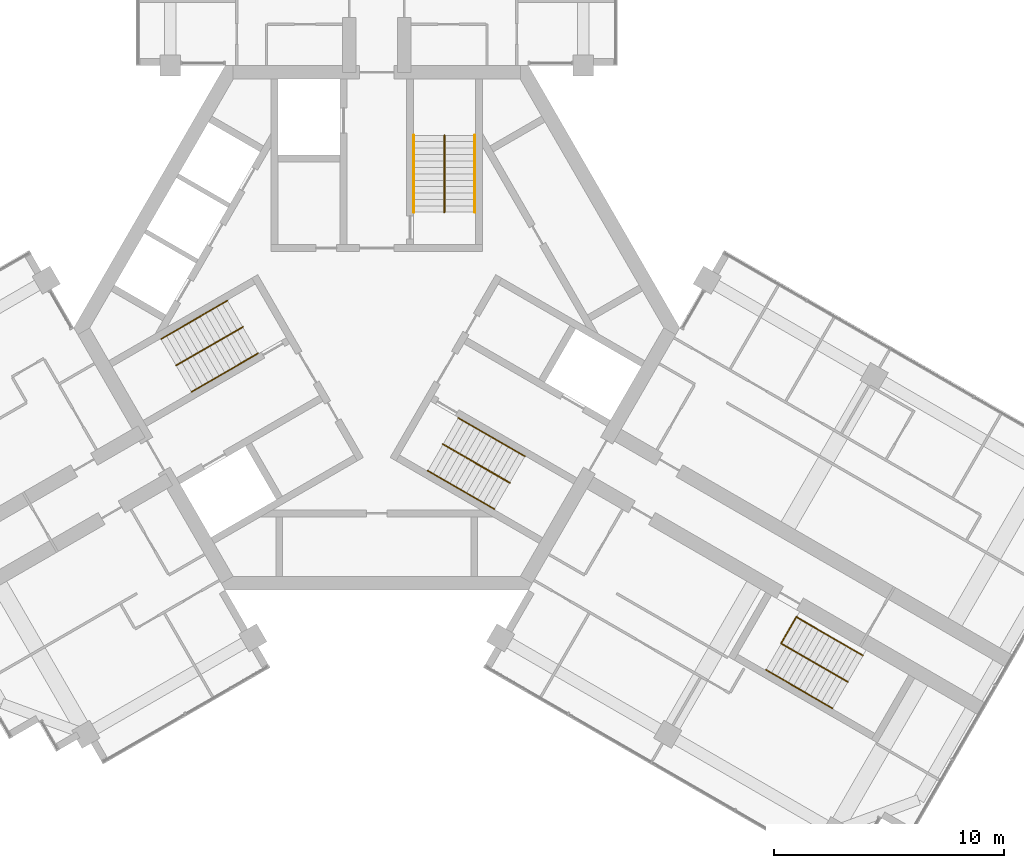
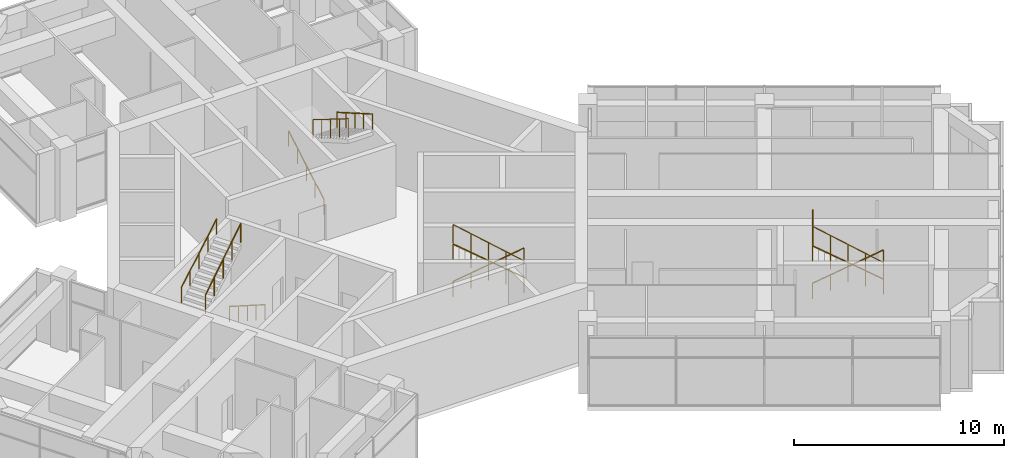
# One storey, part 13 of 13: 13 railings.
"""IFC4 building model written with IfcOpenShell, lengths in metres."""

import ifcopenshell
import ifcopenshell.guid

model = None  # the IFC model being written
_history = None  # IfcOwnerHistory: only IFC2X3 demands one
_inside = {}  # id of a spatial element -> (the spatial element, [elements in it])
_under = {}  # id of a project, library or spatial element -> (it, [spatial elements below it])
_declared = {}  # id of a project -> (the project, [libraries it declares])
_typed = {}  # id of a type object -> (the type object, [elements of that type])
_made_of = {}  # id of a material, layer set ... -> (it, [elements and type objects made of it])


def new_model(schema):
    """Start an empty IFC model of exactly this schema.

    Asked for "IFC4X3", IfcOpenShell would pick the latest addendum, in which some entities
    have other attributes; the version numbers below select the first issue.
    IFC2X3 requires an IfcOwnerHistory on every rooted entity: one is made here for all.
    """
    global model, _history
    if schema == "IFC4X3":
        model = ifcopenshell.file(schema_version=(4, 3, 0, 0))
    else:
        model = ifcopenshell.file(schema=schema)
    _inside.clear()
    _under.clear()
    _declared.clear()
    _typed.clear()
    _made_of.clear()
    _history = None
    if model.schema == "IFC2X3":
        org = make("IfcOrganization", Name="unknown")
        user = make(
            "IfcPersonAndOrganization",
            ThePerson=make("IfcPerson", FamilyName="unknown"),
            TheOrganization=org,
        )
        app = make(
            "IfcApplication",
            ApplicationDeveloper=org,
            Version="unknown",
            ApplicationFullName="unknown",
            ApplicationIdentifier="unknown",
        )
        _history = make(
            "IfcOwnerHistory",
            OwningUser=user,
            OwningApplication=app,
            ChangeAction="ADDED",
            CreationDate=0,
        )
    return model


def make(cls, **values):
    """One entity of the class cls with the attributes given. An attribute that is None is left unset."""
    return model.create_entity(
        cls, **{name: value for name, value in values.items() if value is not None}
    )


def rooted(cls, **values):
    """An entity with a GlobalId (a new one), such as an element, a storey or a relation."""
    return make(cls, GlobalId=ifcopenshell.guid.new(), OwnerHistory=_history, **values)


def si_unit(unit_type, name, prefix=None):
    """IfcSIUnit, for example si_unit("LENGTHUNIT", "METRE", prefix="MILLI")."""
    return make("IfcSIUnit", UnitType=unit_type, Prefix=prefix, Name=name)


def assignment(units):
    """IfcUnitAssignment: the units of a project."""
    return None if units is None else make("IfcUnitAssignment", Units=units)


def point(xyz):
    """IfcCartesianPoint."""
    return None if xyz is None else make("IfcCartesianPoint", Coordinates=xyz)


def direction(xyz):
    """IfcDirection."""
    return None if xyz is None else make("IfcDirection", DirectionRatios=xyz)


def frame(location, z_axis=None, x_axis=None):
    """IfcAxis2Placement3D, a coordinate frame: its origin and axes. An axis left out is left unset."""
    return make(
        "IfcAxis2Placement3D",
        Location=point(location),
        Axis=direction(z_axis),
        RefDirection=direction(x_axis),
    )


def frame_2d(location, x_axis=None):
    """IfcAxis2Placement2D, a coordinate frame in the plane: its origin and x axis."""
    return make(
        "IfcAxis2Placement2D", Location=point(location), RefDirection=direction(x_axis)
    )


def origin():
    """The frame at (0, 0, 0) with its axes left unset."""
    return frame((0.0, 0.0, 0.0))


def origin_2d():
    """The frame at (0, 0) in the plane with its x axis left unset."""
    return frame_2d((0.0, 0.0))


def place(relative_to, where):
    """IfcLocalPlacement: puts the frame where relative to a parent placement (None: the world)."""
    return make(
        "IfcLocalPlacement", PlacementRelTo=relative_to, RelativePlacement=where
    )


def context(
    kind, dimensions, precision=None, world=None, true_north=None, identifier=None
):
    """IfcGeometricRepresentationContext, for example the 3D "Model" context."""
    return make(
        "IfcGeometricRepresentationContext",
        ContextIdentifier=identifier,
        ContextType=kind,
        CoordinateSpaceDimension=dimensions,
        Precision=precision,
        WorldCoordinateSystem=world,
        TrueNorth=true_north,
    )


def subcontext(parent, identifier, kind, view, scale=None):
    """IfcGeometricRepresentationSubContext, for example "Body" below "Model"."""
    return make(
        "IfcGeometricRepresentationSubContext",
        ContextIdentifier=identifier,
        ContextType=kind,
        ParentContext=parent,
        TargetScale=scale,
        TargetView=view,
    )


def project(units=None, contexts=None):
    """IfcProject with its units and contexts."""
    return rooted(
        "IfcProject",
        Name="project",
        RepresentationContexts=contexts,
        UnitsInContext=assignment(units),
    )


def spatial(cls, under=None, at=None, **own):
    """A site, building, storey or space (cls), placed at a placement, below another one or the project."""
    s = rooted(cls, ObjectPlacement=at, **own)
    if under is not None:
        _under.setdefault(under.id(), (under, []))[1].append(s)
    return s


def profile(cls, at=None, kind="AREA", **sizes):
    """A parametric profile (cls). Its sizes go by their IFC names, for example OverallWidth=200.0."""
    return make(cls, ProfileType=kind, Position=at, **sizes)


def circle(**sizes):
    """IfcCircleProfileDef."""
    return profile("IfcCircleProfileDef", **sizes)


def extrude(swept, where, along, depth):
    """IfcExtrudedAreaSolid: the profile swept, set in the frame where, extruded along a direction by depth."""
    return make(
        "IfcExtrudedAreaSolid",
        SweptArea=swept,
        Position=where,
        ExtrudedDirection=direction(along),
        Depth=depth,
    )


def shape(context_of_items, identifier, shape_type, items):
    """IfcShapeRepresentation: the items that make up one representation, for example the "Body"."""
    return make(
        "IfcShapeRepresentation",
        ContextOfItems=context_of_items,
        RepresentationIdentifier=identifier,
        RepresentationType=shape_type,
        Items=items,
    )


def material(Name=None, Category=None):
    """IfcMaterial."""
    return make("IfcMaterial", Name=Name, Category=Category)


def made_of(thing, what):
    """Note that an element or type object is made of a material, layer set ...; save() writes the relation."""
    if what is not None:
        _made_of.setdefault(what.id(), (what, []))[1].append(thing)
    return thing


def type_object(cls, material=None, **own):
    """A type object (cls), such as IfcWallType, which elements share."""
    return made_of(rooted(cls, **own), material)


def element(
    cls,
    number,
    at=None,
    inside=None,
    cuts=None,
    type_object=None,
    material=None,
    context=None,
    identifier="Body",
    shape_type=None,
    held_by="IfcProductDefinitionShape",
    body=None,
    shapes=None,
    **own,
):
    """One element of the class cls, such as IfcWall. Its Tag is "e" and its number.

    at: its placement. inside: the storey or other place that contains it. cuts: it is an
    opening in that element (IfcRelVoidsElement). A single representation is given by context,
    identifier, shape_type and body (its items); several are given by shapes. held_by: the class
    of the entity that holds the representations. save() writes the other relations.
    """
    e = rooted(cls, Tag="e%d" % number, ObjectPlacement=at, **own)
    if body is not None:
        shapes = [shape(context, identifier, shape_type, body)]
    if shapes is not None:
        e.Representation = make(held_by, Representations=shapes)
    if inside is not None:
        _inside.setdefault(inside.id(), (inside, []))[1].append(e)
    if cuts is not None:
        rooted(
            "IfcRelVoidsElement", RelatingBuildingElement=cuts, RelatedOpeningElement=e
        )
    if type_object is not None:
        _typed.setdefault(type_object.id(), (type_object, []))[1].append(e)
    return made_of(e, material)


def aggregate(whole, parts):
    """IfcRelAggregates: a whole, such as a stair, and the parts it consists of."""
    return rooted("IfcRelAggregates", RelatingObject=whole, RelatedObjects=parts)


def save(model, path):
    """Write the relations noted so far, then the file.

    IfcRelAggregates (storeys below a building ...), IfcRelContainedInSpatialStructure (elements
    in a storey), IfcRelDefinesByType, IfcRelAssociatesMaterial and IfcRelDeclares: one each for
    every whole, place, type object, material and project.
    """
    for whole, parts in _under.values():
        aggregate(whole, parts)
    for where, things in _inside.values():
        rooted(
            "IfcRelContainedInSpatialStructure",
            RelatedElements=things,
            RelatingStructure=where,
        )
    for kind, things in _typed.values():
        rooted("IfcRelDefinesByType", RelatedObjects=things, RelatingType=kind)
    for what, things in _made_of.values():
        rooted("IfcRelAssociatesMaterial", RelatedObjects=things, RelatingMaterial=what)
    for by, libraries in _declared.values():
        rooted("IfcRelDeclares", RelatingContext=by, RelatedDefinitions=libraries)
    model.write(path)


model = new_model("IFC4")

# Units and contexts
model_context = context("Model", 3, precision=1e-05, world=origin(), true_north=direction((0.0, 1.0)))
body_context = subcontext(model_context, "Body", "Model", "MODEL_VIEW")
ifc_project = project(units=[si_unit("LENGTHUNIT", "METRE"), si_unit("AREAUNIT", "SQUARE_METRE"), si_unit("VOLUMEUNIT", "CUBIC_METRE"), si_unit("PLANEANGLEUNIT", "RADIAN"), si_unit("MASSUNIT", "GRAM", prefix="KILO")], contexts=[model_context])

# Site, building, storey
site_placement = place(None, origin())
site = spatial("IfcSite", under=ifc_project, at=site_placement, CompositionType="ELEMENT")
building_placement = place(site_placement, origin())
building = spatial("IfcBuilding", under=site, at=building_placement, Name="Impinga Residences", CompositionType="ELEMENT")
storey_placement = place(building_placement, frame((0.0, 0.0, 287.35009765625)))
storey = spatial("IfcBuildingStorey", under=building, at=storey_placement, Name="L72", CompositionType="ELEMENT", Elevation=287.35009765625)

# Railings
ifc_material_1 = material(Name="Steel guard, powder coated", Category="steel")
railing_type_1 = type_object("IfcRailingType", Name="GR1 stair guard 1100", PredefinedType="GUARDRAIL", material=ifc_material_1)
railing_1_placement = place(storey_placement, frame((2.949951171875, 8.389892578125, 2.099853515625)))
element("IfcRailing", 1, at=railing_1_placement, inside=storey, type_object=railing_type_1, Name="Stair guard GR1 ST1 L72", PredefinedType="GUARDRAIL", context=body_context, shape_type="SweptSolid", body=[
    extrude(circle(Radius=0.02392578125, at=origin_2d()), frame((0.0, 0.0, 1.076171875), z_axis=(0.0, -0.847977533471, 0.530032171408), x_axis=(1.0, 0.0, 0.0)), (0.0, 0.0, 1.0), 3.962158203125),
    extrude(circle(Radius=0.02099609375, at=origin_2d()), origin(), (0.0, 0.0, 1.0), 1.052001953125),
    extrude(circle(Radius=0.02099609375, at=origin_2d()), frame((0.0, -0.83984375, 0.52490234375)), (0.0, 0.0, 1.0), 1.052001953125),
    extrude(circle(Radius=0.02099609375, at=origin_2d()), frame((0.0, -1.679931640625, 1.050048828125)), (0.0, 0.0, 1.0), 1.052001953125),
    extrude(circle(Radius=0.02099609375, at=origin_2d()), frame((0.0, -2.52001953125, 1.5751953125)), (0.0, 0.0, 1.0), 1.052001953125),
    extrude(circle(Radius=0.02099609375, at=origin_2d()), frame((0.0, -3.35986328125, 2.10009765625)), (0.0, 0.0, 1.0), 1.052001953125),
])
railing_2_placement = place(storey_placement, frame((-8.740966796875, -1.64013671875, 2.099853515625)))
element("IfcRailing", 2, at=railing_2_placement, inside=storey, type_object=railing_type_1, Name="Stair guard GR1 ST2 L72", PredefinedType="GUARDRAIL", context=body_context, shape_type="SweptSolid", body=[
    extrude(circle(Radius=0.02392578125, at=origin_2d()), frame((0.0, 0.0, 1.076171875), z_axis=(0.734391613324, 0.423974216904, 0.530013982533), x_axis=(-0.499976138585, 0.866039179741, 0.0)), (0.0, 0.0, 1.0), 3.96240234375),
    extrude(circle(Radius=0.02099609375, at=origin_2d()), origin(), (0.0, 0.0, 1.0), 1.052001953125),
    extrude(circle(Radius=0.02099609375, at=origin_2d()), frame((0.7275390625, 0.419921875, 0.52490234375)), (0.0, 0.0, 1.0), 1.052001953125),
    extrude(circle(Radius=0.02099609375, at=origin_2d()), frame((1.455078125, 0.83984375, 1.050048828125)), (0.0, 0.0, 1.0), 1.052001953125),
    extrude(circle(Radius=0.02099609375, at=origin_2d()), frame((2.182373046875, 1.260009765625, 1.5751953125)), (0.0, 0.0, 1.0), 1.052001953125),
    extrude(circle(Radius=0.02099609375, at=origin_2d()), frame((2.909912109375, 1.679931640625, 2.10009765625)), (0.0, 0.0, 1.0), 1.052001953125),
])
for number, where, name in (
    (3, (5.791015625, -6.749755859375, 2.099853515625), "Stair guard GR1 ST3 L72"),
    (4, (20.5263671875, -15.430419921875, 2.099853515625), "Stair guard GR1 WS3 L72"),
):
    element("IfcRailing", number, at=place(storey_placement, frame(where)), inside=storey, type_object=railing_type_1, Name=name, PredefinedType="GUARDRAIL", context=body_context, shape_type="SweptSolid", body=[
        extrude(circle(Radius=0.02392578125, at=origin_2d()), frame((0.0, 0.0, 1.076171875), z_axis=(-0.734391613324, 0.423974216904, 0.530013982533), x_axis=(-0.499976138585, -0.866039179741, 0.0)), (0.0, 0.0, 1.0), 3.96240234375),
        extrude(circle(Radius=0.02099609375, at=origin_2d()), origin(), (0.0, 0.0, 1.0), 1.052001953125),
        extrude(circle(Radius=0.02099609375, at=origin_2d()), frame((-0.7275390625, 0.419921875, 0.52490234375)), (0.0, 0.0, 1.0), 1.052001953125),
        extrude(circle(Radius=0.02099609375, at=origin_2d()), frame((-1.455078125, 0.83984375, 1.050048828125)), (0.0, 0.0, 1.0), 1.052001953125),
        extrude(circle(Radius=0.02099609375, at=origin_2d()), frame((-2.182373046875, 1.260009765625, 1.5751953125)), (0.0, 0.0, 1.0), 1.052001953125),
        extrude(circle(Radius=0.02099609375, at=origin_2d()), frame((-2.909912109375, 1.679931640625, 2.10009765625)), (0.0, 0.0, 1.0), 1.052001953125),
    ])
railing_3_placement = place(storey_placement, frame((18.29150390625, -12.581298828125, 4.199951171875)))
element("IfcRailing", 5, at=railing_3_placement, inside=storey, type_object=railing_type_1, Name="Stair guard GR1 WS3 top landing L72", PredefinedType="GUARDRAIL", context=body_context, shape_type="SweptSolid", body=[
    extrude(circle(Radius=0.02392578125, at=origin_2d()), frame((0.0, 0.0, 1.076171875), z_axis=(-0.50000943426, -0.866019956843, 0.0), x_axis=(0.866019956843, -0.50000943426, 0.0)), (0.0, 0.0, 1.0), 1.35009765625),
    extrude(circle(Radius=0.02099609375, at=origin_2d()), origin(), (0.0, 0.0, 1.0), 1.052001953125),
    extrude(circle(Radius=0.02099609375, at=origin_2d()), frame((-0.33740234375, -0.58447265625, 0.0)), (0.0, 0.0, 1.0), 1.052001953125),
    extrude(circle(Radius=0.02099609375, at=origin_2d()), frame((-0.675048828125, -1.169189453125, 0.0)), (0.0, 0.0, 1.0), 1.052001953125),
])
ifc_material_2 = material(Name="Steel handrail tube 42 mm, powder coated", Category="steel")
railing_type_2 = type_object("IfcRailingType", Name="HR1 stair handrail, 42 mm steel tube, 900 above the pitch line", PredefinedType="HANDRAIL", material=ifc_material_2)
railing_4_placement = place(storey_placement, frame((1.62109375, 5.030029296875, 0.161376953125)))
element("IfcRailing", 6, at=railing_4_placement, inside=storey, type_object=railing_type_2, Name="Stair handrail HR1 ST1 L72", PredefinedType="HANDRAIL", context=body_context, shape_type="SweptSolid", body=[
    extrude(circle(Radius=0.02099609375, at=origin_2d()), frame((0.0, 0.0, 0.87890625), z_axis=(0.0, 0.866175107563, 0.499740615757), x_axis=(-1.0, 0.0, 0.0)), (0.0, 0.0, 1.0), 3.87890625),
    extrude(circle(Radius=0.012451171875, at=origin_2d()), origin(), (0.0, 0.0, 1.0), 0.85791015625),
    extrude(circle(Radius=0.012451171875, at=origin_2d()), frame((0.0, 0.83984375, 0.484619140625)), (0.0, 0.0, 1.0), 0.85791015625),
    extrude(circle(Radius=0.012451171875, at=origin_2d()), frame((0.0, 1.679931640625, 0.96923828125)), (0.0, 0.0, 1.0), 0.85791015625),
    extrude(circle(Radius=0.012451171875, at=origin_2d()), frame((0.0, 2.52001953125, 1.453857421875)), (0.0, 0.0, 1.0), 0.85791015625),
    extrude(circle(Radius=0.012451171875, at=origin_2d()), frame((0.0, 3.35986328125, 1.9384765625)), (0.0, 0.0, 1.0), 0.85791015625),
])
railing_5_placement = place(storey_placement, frame((4.279052734375, 8.389892578125, 2.261474609375)))
element("IfcRailing", 7, at=railing_5_placement, inside=storey, type_object=railing_type_2, Name="Stair handrail HR1 ST1 L72", PredefinedType="HANDRAIL", context=body_context, shape_type="SweptSolid", body=[
    extrude(circle(Radius=0.02099609375, at=origin_2d()), frame((0.0, 0.0, 0.87890625), z_axis=(0.0, -0.866175107563, 0.499740615757), x_axis=(1.0, 0.0, 0.0)), (0.0, 0.0, 1.0), 3.87890625),
    extrude(circle(Radius=0.012451171875, at=origin_2d()), origin(), (0.0, 0.0, 1.0), 0.85791015625),
    extrude(circle(Radius=0.012451171875, at=origin_2d()), frame((0.0, -0.83984375, 0.484619140625)), (0.0, 0.0, 1.0), 0.85791015625),
    extrude(circle(Radius=0.012451171875, at=origin_2d()), frame((0.0, -1.679931640625, 0.96923828125)), (0.0, 0.0, 1.0), 0.85791015625),
    extrude(circle(Radius=0.012451171875, at=origin_2d()), frame((0.0, -2.52001953125, 1.453857421875)), (0.0, 0.0, 1.0), 0.85791015625),
    extrude(circle(Radius=0.012451171875, at=origin_2d()), frame((0.0, -3.35986328125, 1.9384765625)), (0.0, 0.0, 1.0), 0.85791015625),
])
railing_6_placement = place(storey_placement, frame((-5.16650390625, -1.111083984375, 0.161376953125)))
element("IfcRailing", 8, at=railing_6_placement, inside=storey, type_object=railing_type_2, Name="Stair handrail HR1 ST2 L72", PredefinedType="HANDRAIL", context=body_context, shape_type="SweptSolid", body=[
    extrude(circle(Radius=0.02099609375, at=origin_2d()), frame((0.0, 0.0, 0.87890625), z_axis=(-0.750130072985, -0.43312317831, 0.499709101393), x_axis=(0.500030632641, -0.866007717299, 0.0)), (0.0, 0.0, 1.0), 3.879150390625),
    extrude(circle(Radius=0.012451171875, at=origin_2d()), origin(), (0.0, 0.0, 1.0), 0.85791015625),
    extrude(circle(Radius=0.012451171875, at=origin_2d()), frame((-0.7275390625, -0.419921875, 0.484619140625)), (0.0, 0.0, 1.0), 0.85791015625),
    extrude(circle(Radius=0.012451171875, at=origin_2d()), frame((-1.455078125, -0.840087890625, 0.96923828125)), (0.0, 0.0, 1.0), 0.85791015625),
    extrude(circle(Radius=0.012451171875, at=origin_2d()), frame((-2.182373046875, -1.26025390625, 1.453857421875)), (0.0, 0.0, 1.0), 0.85791015625),
    extrude(circle(Radius=0.012451171875, at=origin_2d()), frame((-2.909912109375, -1.68017578125, 1.9384765625)), (0.0, 0.0, 1.0), 0.85791015625),
])
railing_7_placement = place(storey_placement, frame((-9.405517578125, -0.4892578125, 2.261474609375)))
element("IfcRailing", 9, at=railing_7_placement, inside=storey, type_object=railing_type_2, Name="Stair handrail HR1 ST2 L72", PredefinedType="HANDRAIL", context=body_context, shape_type="SweptSolid", body=[
    extrude(circle(Radius=0.02099609375, at=origin_2d()), frame((0.0, 0.0, 0.87890625), z_axis=(0.750150520049, 0.433072047022, 0.499722722476), x_axis=(-0.499976138585, 0.866039179741, 0.0)), (0.0, 0.0, 1.0), 3.879150390625),
    extrude(circle(Radius=0.012451171875, at=origin_2d()), origin(), (0.0, 0.0, 1.0), 0.85791015625),
    extrude(circle(Radius=0.012451171875, at=origin_2d()), frame((0.7275390625, 0.419921875, 0.484619140625)), (0.0, 0.0, 1.0), 0.85791015625),
    extrude(circle(Radius=0.012451171875, at=origin_2d()), frame((1.455078125, 0.83984375, 0.96923828125)), (0.0, 0.0, 1.0), 0.85791015625),
    extrude(circle(Radius=0.012451171875, at=origin_2d()), frame((2.182373046875, 1.260009765625, 1.453857421875)), (0.0, 0.0, 1.0), 0.85791015625),
    extrude(circle(Radius=0.012451171875, at=origin_2d()), frame((2.909912109375, 1.679931640625, 1.9384765625)), (0.0, 0.0, 1.0), 0.85791015625),
])
railing_8_placement = place(storey_placement, frame((3.545654296875, -3.9189453125, 0.161376953125)))
element("IfcRailing", 10, at=railing_8_placement, inside=storey, type_object=railing_type_2, Name="Stair handrail HR1 ST3 L72", PredefinedType="HANDRAIL", context=body_context, shape_type="SweptSolid", body=[
    extrude(circle(Radius=0.02099609375, at=origin_2d()), frame((0.0, 0.0, 0.87890625), z_axis=(0.750150520049, -0.433072047022, 0.499722722476), x_axis=(0.499976138585, 0.866039179741, 0.0)), (0.0, 0.0, 1.0), 3.879150390625),
    extrude(circle(Radius=0.012451171875, at=origin_2d()), origin(), (0.0, 0.0, 1.0), 0.85791015625),
    extrude(circle(Radius=0.012451171875, at=origin_2d()), frame((0.7275390625, -0.419921875, 0.484619140625)), (0.0, 0.0, 1.0), 0.85791015625),
    extrude(circle(Radius=0.012451171875, at=origin_2d()), frame((1.455078125, -0.83984375, 0.96923828125)), (0.0, 0.0, 1.0), 0.85791015625),
    extrude(circle(Radius=0.012451171875, at=origin_2d()), frame((2.182373046875, -1.260009765625, 1.453857421875)), (0.0, 0.0, 1.0), 0.85791015625),
    extrude(circle(Radius=0.012451171875, at=origin_2d()), frame((2.909912109375, -1.679931640625, 1.9384765625)), (0.0, 0.0, 1.0), 0.85791015625),
])
railing_9_placement = place(storey_placement, frame((5.12646484375, -7.900634765625, 2.261474609375)))
element("IfcRailing", 11, at=railing_9_placement, inside=storey, type_object=railing_type_2, Name="Stair handrail HR1 ST3 L72", PredefinedType="HANDRAIL", context=body_context, shape_type="SweptSolid", body=[
    extrude(circle(Radius=0.02099609375, at=origin_2d()), frame((0.0, 0.0, 0.87890625), z_axis=(-0.750150520049, 0.433072047022, 0.499722722476), x_axis=(-0.499976138585, -0.866039179741, 0.0)), (0.0, 0.0, 1.0), 3.879150390625),
    extrude(circle(Radius=0.012451171875, at=origin_2d()), origin(), (0.0, 0.0, 1.0), 0.85791015625),
    extrude(circle(Radius=0.012451171875, at=origin_2d()), frame((-0.7275390625, 0.419921875, 0.484619140625)), (0.0, 0.0, 1.0), 0.85791015625),
    extrude(circle(Radius=0.012451171875, at=origin_2d()), frame((-1.455078125, 0.83984375, 0.96923828125)), (0.0, 0.0, 1.0), 0.85791015625),
    extrude(circle(Radius=0.012451171875, at=origin_2d()), frame((-2.182373046875, 1.260009765625, 1.453857421875)), (0.0, 0.0, 1.0), 0.85791015625),
    extrude(circle(Radius=0.012451171875, at=origin_2d()), frame((-2.909912109375, 1.679931640625, 1.9384765625)), (0.0, 0.0, 1.0), 0.85791015625),
])
railing_10_placement = place(storey_placement, frame((18.281005859375, -12.599609375, 0.161376953125)))
element("IfcRailing", 12, at=railing_10_placement, inside=storey, type_object=railing_type_2, Name="Stair handrail HR1 WS3 L72", PredefinedType="HANDRAIL", context=body_context, shape_type="SweptSolid", body=[
    extrude(circle(Radius=0.02099609375, at=origin_2d()), frame((0.0, 0.0, 0.87890625), z_axis=(0.750150520049, -0.433072047022, 0.499722722476), x_axis=(0.499976138585, 0.866039179741, 0.0)), (0.0, 0.0, 1.0), 3.879150390625),
    extrude(circle(Radius=0.012451171875, at=origin_2d()), origin(), (0.0, 0.0, 1.0), 0.85791015625),
    extrude(circle(Radius=0.012451171875, at=origin_2d()), frame((0.7275390625, -0.419921875, 0.484619140625)), (0.0, 0.0, 1.0), 0.85791015625),
    extrude(circle(Radius=0.012451171875, at=origin_2d()), frame((1.455078125, -0.83984375, 0.96923828125)), (0.0, 0.0, 1.0), 0.85791015625),
    extrude(circle(Radius=0.012451171875, at=origin_2d()), frame((2.182373046875, -1.260009765625, 1.453857421875)), (0.0, 0.0, 1.0), 0.85791015625),
    extrude(circle(Radius=0.012451171875, at=origin_2d()), frame((2.909912109375, -1.679931640625, 1.9384765625)), (0.0, 0.0, 1.0), 0.85791015625),
])
railing_11_placement = place(storey_placement, frame((19.86181640625, -16.581298828125, 2.261474609375)))
element("IfcRailing", 13, at=railing_11_placement, inside=storey, type_object=railing_type_2, Name="Stair handrail HR1 WS3 L72", PredefinedType="HANDRAIL", context=body_context, shape_type="SweptSolid", body=[
    extrude(circle(Radius=0.02099609375, at=origin_2d()), frame((0.0, 0.0, 0.87890625), z_axis=(-0.750150520049, 0.433072047022, 0.499722722476), x_axis=(-0.499976138585, -0.866039179741, 0.0)), (0.0, 0.0, 1.0), 3.879150390625),
    extrude(circle(Radius=0.012451171875, at=origin_2d()), origin(), (0.0, 0.0, 1.0), 0.85791015625),
    extrude(circle(Radius=0.012451171875, at=origin_2d()), frame((-0.7275390625, 0.419921875, 0.484619140625)), (0.0, 0.0, 1.0), 0.85791015625),
    extrude(circle(Radius=0.012451171875, at=origin_2d()), frame((-1.455078125, 0.83984375, 0.96923828125)), (0.0, 0.0, 1.0), 0.85791015625),
    extrude(circle(Radius=0.012451171875, at=origin_2d()), frame((-2.182373046875, 1.260009765625, 1.453857421875)), (0.0, 0.0, 1.0), 0.85791015625),
    extrude(circle(Radius=0.012451171875, at=origin_2d()), frame((-2.909912109375, 1.679931640625, 1.9384765625)), (0.0, 0.0, 1.0), 0.85791015625),
])

save(model, "model.ifc")
